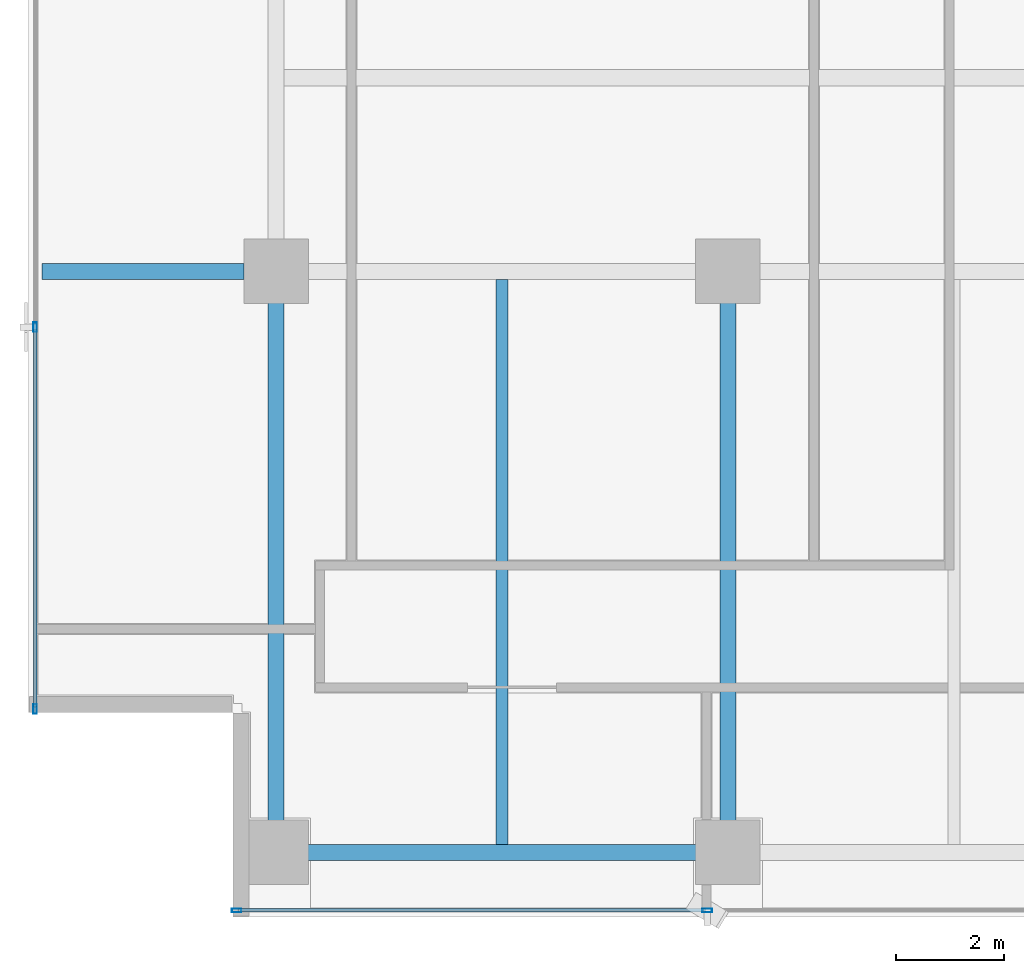
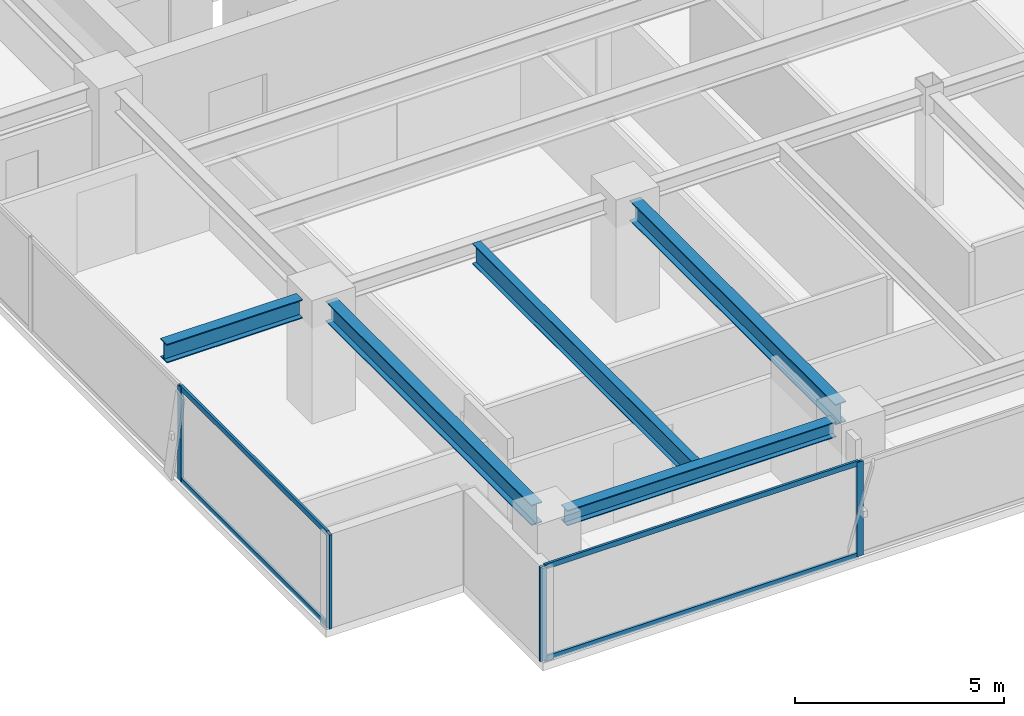
# One storey, part 2 of 22: 8 members, 5 beams, 2 elements without a shape of their own.
"""IFC4 building model written with IfcOpenShell, lengths in metres."""

from ifc_helpers import new_model, si_unit, direction, frame, origin, origin_2d, place, context, subcontext, project, spatial, hollow_rectangle, i_section, extrude, source, transform, mapped, material, layer, layer_set, material_profile, profile_set, type_object, element, aggregate, save


model = new_model("IFC4")

# Units and contexts
model_context = context("Model", 3, precision=1e-05, world=origin(), true_north=direction((0.0, 1.0)))
body_context = subcontext(model_context, "Body", "Model", "MODEL_VIEW")
ifc_project = project(units=[si_unit("LENGTHUNIT", "METRE"), si_unit("AREAUNIT", "SQUARE_METRE"), si_unit("VOLUMEUNIT", "CUBIC_METRE"), si_unit("PLANEANGLEUNIT", "RADIAN"), si_unit("MASSUNIT", "GRAM", prefix="KILO")], contexts=[model_context])

# Site, building, storey
site_placement = place(None, origin())
site = spatial("IfcSite", under=ifc_project, at=site_placement, CompositionType="ELEMENT")
building_placement = place(site_placement, origin())
building = spatial("IfcBuilding", under=site, at=building_placement, Name="Sumidabori Civic Tower", CompositionType="ELEMENT")
storey_placement = place(building_placement, frame((0.0, 0.0, 286.39990234375)))
storey = spatial("IfcBuildingStorey", under=building, at=storey_placement, Name="L75", CompositionType="ELEMENT", Elevation=286.39990234375)

# Beams
ifc_material_1 = material(Name="Steel SN490", Category="steel")
ifc_material_profile_1 = material_profile(ifc_material_1, i_section(OverallWidth=0.300048828125, OverallDepth=0.60009765625, WebThickness=0.015380859375, FlangeThickness=0.030029296875, at=origin_2d()), Name="HE 600 B")
ifc_profile_set_1 = profile_set([ifc_material_profile_1], Name="Steel SN490")
beam_type_1 = type_object("IfcBeamType", Name="BM-GIRD-600", PredefinedType="BEAM", material=ifc_profile_set_1)
shared_shape_1 = source(origin(), body_context, "Body", "SweptSolid", [
    extrude(i_section(OverallWidth=0.300048828125, OverallDepth=0.60009765625, WebThickness=0.015380859375, FlangeThickness=0.030029296875, at=origin_2d()), origin(), (0.0, 0.0, 1.0), 9.840087890625),
])
for number, where, z_axis, x_axis, name in (
    (1, (-16.800048828125, -10.320068359375, 3.070068359375), (0.0, 1.0, 0.0), (-1.0, 0.0, 0.0), "Primary Girder L75 GY-09"),
    (2, (-8.39990234375, -10.320068359375, 3.070068359375), (0.0, 1.0, 0.0), (-1.0, 0.0, 0.0), "Primary Girder L75 GY-12"),
):
    element("IfcBeam", number, at=place(storey_placement, frame(where, z_axis=z_axis, x_axis=x_axis)), inside=storey, type_object=beam_type_1, Name=name, PredefinedType="BEAM", context=body_context, shape_type="MappedRepresentation", body=[
        mapped(shared_shape_1, transform((0.0, 0.0, 0.0), x_axis=(1.0, 0.0, 0.0), y_axis=(0.0, 1.0, 0.0), z_axis=(0.0, 0.0, 1.0), scale=1.0)),
    ])
ifc_material_profile_2 = material_profile(ifc_material_1, i_section(OverallWidth=0.300048828125, OverallDepth=0.449951171875, WebThickness=0.013916015625, FlangeThickness=0.02587890625, at=origin_2d()), Name="HE 450 B")
ifc_profile_set_2 = profile_set([ifc_material_profile_2], Name="Steel SN490")
beam_type_2 = type_object("IfcBeamType", Name="BM-GIRD-450", PredefinedType="BEAM", material=ifc_profile_set_2)
shared_shape_2 = source(origin(), body_context, "Body", "SweptSolid", [
    extrude(i_section(OverallWidth=0.300048828125, OverallDepth=0.449951171875, WebThickness=0.013916015625, FlangeThickness=0.02587890625, at=origin_2d()), origin(), (0.0, 0.0, 1.0), 7.440185546875),
])
beam_1_placement = place(storey_placement, frame((-16.320068359375, -10.800048828125, 3.14501953125), z_axis=(1.0, 0.0, 0.0), x_axis=(0.0, 1.0, 0.0)))
element("IfcBeam", 3, at=beam_1_placement, inside=storey, type_object=beam_type_2, Name="Primary Girder L75 GX-01", PredefinedType="BEAM", context=body_context, shape_type="MappedRepresentation", body=[
    mapped(shared_shape_2, transform((0.0, 0.0, 0.0), x_axis=(1.0, 0.0, 0.0), y_axis=(0.0, 1.0, 0.0), z_axis=(0.0, 0.0, 1.0), scale=1.0)),
])
ifc_material_profile_3 = material_profile(ifc_material_1, i_section(OverallWidth=0.219970703125, OverallDepth=0.60009765625, WebThickness=0.011962890625, FlangeThickness=0.01904296875, at=origin_2d()), Name="IPE 600")
ifc_profile_set_3 = profile_set([ifc_material_profile_3], Name="Steel SN490")
beam_type_3 = type_object("IfcBeamType", Name="BM-JST-600", PredefinedType="JOIST", material=ifc_profile_set_3)
shared_shape_3 = source(origin(), body_context, "Body", "SweptSolid", [
    extrude(i_section(OverallWidth=0.219970703125, OverallDepth=0.60009765625, WebThickness=0.011962890625, FlangeThickness=0.01904296875, at=origin_2d()), origin(), (0.0, 0.0, 1.0), 10.5),
])
beam_2_placement = place(storey_placement, frame((-12.60009765625, -10.64990234375, 3.070068359375), z_axis=(0.0, 1.0, 0.0), x_axis=(-1.0, 0.0, 0.0)))
element("IfcBeam", 4, at=beam_2_placement, inside=storey, type_object=beam_type_3, Name="Upper Lens N-S Floor Joist L75 JSTV-24", PredefinedType="JOIST", context=body_context, shape_type="MappedRepresentation", body=[
    mapped(shared_shape_3, transform((0.0, 0.0, 0.0), x_axis=(1.0, 0.0, 0.0), y_axis=(0.0, 1.0, 0.0), z_axis=(0.0, 0.0, 1.0), scale=1.0)),
])
ifc_material_profile_4 = material_profile(ifc_material_1, i_section(OverallWidth=0.300048828125, OverallDepth=0.550048828125, WebThickness=0.014892578125, FlangeThickness=0.029052734375, at=origin_2d()), Name="HE 550 B")
ifc_profile_set_4 = profile_set([ifc_material_profile_4], Name="Steel SN490")
beam_type_4 = type_object("IfcBeamType", Name="BM-Z4-EDGE", PredefinedType="SPANDREL", material=ifc_profile_set_4)
shared_shape_4 = source(origin(), body_context, "Body", "SweptSolid", [
    extrude(i_section(OverallWidth=0.300048828125, OverallDepth=0.550048828125, WebThickness=0.014892578125, FlangeThickness=0.029052734375, at=origin_2d()), origin(), (0.0, 0.0, 1.0), 3.75),
])
beam_3_placement = place(storey_placement, frame((-21.14990234375, 0.0, 3.09521484375), z_axis=(1.0, 0.0, 0.0), x_axis=(0.0, 1.0, 0.0)))
element("IfcBeam", 5, at=beam_3_placement, inside=storey, type_object=beam_type_4, Name="Perimeter Overhang Beam L75 W-19", PredefinedType="SPANDREL", context=body_context, shape_type="MappedRepresentation", body=[
    mapped(shared_shape_4, transform((0.0, 0.0, 0.0), x_axis=(1.0, 0.0, 0.0), y_axis=(0.0, 1.0, 0.0), z_axis=(0.0, 0.0, 1.0), scale=1.0)),
])

# Curtain wall, members
ifc_material_2 = material(Name="Anodised Bronze Aluminium AW-6063-T6", Category="aluminium")
ifc_layer = layer(ifc_material_2, 0.179931640625, Name="Anodised Bronze Aluminium AW-6063-T6")
ifc_layer_set = layer_set([ifc_layer], Name="Anodised Bronze Aluminium AW-6063-T6")
curtain_wall_type = type_object("IfcCurtainWallType", Name="CW-SYS-6", PredefinedType="NOTDEFINED", material=ifc_layer_set)
curtain_wall_1_placement = place(storey_placement, origin())
curtain_wall_1 = element("IfcCurtainWall", 6, at=curtain_wall_1_placement, inside=storey, type_object=curtain_wall_type, Name="Curtain Wall CW:L75:R01", PredefinedType="NOTDEFINED")
ifc_material_profile_5 = material_profile(ifc_material_2, hollow_rectangle(XDim=0.070068359375, YDim=0.179931640625, WallThickness=0.006103515625, at=origin_2d()), Name="ALU MULLION 180x70")
ifc_profile_set_5 = profile_set([ifc_material_profile_5], Name="Anodised Bronze Aluminium AW-6063-T6")
member_type_1 = type_object("IfcMemberType", Name="CW-MUL-180", PredefinedType="MULLION", material=ifc_profile_set_5)
shared_shape_5 = source(origin(), body_context, "Body", "SweptSolid", [
    extrude(hollow_rectangle(XDim=0.070068359375, YDim=0.179931640625, WallThickness=0.006103515625, at=origin_2d()), origin(), (0.0, 0.0, 1.0), 2.75),
])
member_1_placement = place(storey_placement, frame((-17.534912109375, -11.8798828125, 0.0), z_axis=(0.0, 0.0, 1.0), x_axis=(0.0, 1.0, 0.0)))
member_1 = element("IfcMember", 7, at=member_1_placement, type_object=member_type_1, Name="CW-6 mullion 1", PredefinedType="MULLION", context=body_context, shape_type="MappedRepresentation", body=[
    mapped(shared_shape_5, transform((0.0, 0.0, 0.0), x_axis=(1.0, 0.0, 0.0), y_axis=(0.0, 1.0, 0.0), z_axis=(0.0, 0.0, 1.0), scale=1.0)),
])
member_2_placement = place(storey_placement, frame((-8.784912109375, -11.8798828125, 0.0), z_axis=(0.0, 0.0, 1.0), x_axis=(0.0, 1.0, 0.0)))
member_2 = element("IfcMember", 8, at=member_2_placement, type_object=member_type_1, Name="CW-6 mullion 2", PredefinedType="MULLION", context=body_context, shape_type="MappedRepresentation", body=[
    mapped(shared_shape_5, transform((0.0, 0.0, 0.0), x_axis=(1.0, 0.0, 0.0), y_axis=(0.0, 1.0, 0.0), z_axis=(0.0, 0.0, 1.0), scale=1.0)),
])

curtain_wall_2_placement = place(storey_placement, origin())
curtain_wall_2 = element("IfcCurtainWall", 9, at=curtain_wall_2_placement, inside=storey, type_object=curtain_wall_type, Name="Curtain Wall CW:L75:R10", PredefinedType="NOTDEFINED")
member_3_placement = place(storey_placement, frame((-21.280029296875, -1.034912109375, 0.0), z_axis=(0.0, 0.0, 1.0), x_axis=(1.0, 0.0, 0.0)))
member_3 = element("IfcMember", 10, at=member_3_placement, type_object=member_type_1, Name="CW-6 mullion 4", PredefinedType="MULLION", context=body_context, shape_type="MappedRepresentation", body=[
    mapped(shared_shape_5, transform((0.0, 0.0, 0.0), x_axis=(1.0, 0.0, 0.0), y_axis=(0.0, 1.0, 0.0), z_axis=(0.0, 0.0, 1.0), scale=1.0)),
])
member_4_placement = place(storey_placement, frame((-21.280029296875, -8.135009765625, 0.0), z_axis=(0.0, 0.0, 1.0), x_axis=(1.0, 0.0, 0.0)))
member_4 = element("IfcMember", 11, at=member_4_placement, type_object=member_type_1, Name="CW-6 mullion 5", PredefinedType="MULLION", context=body_context, shape_type="MappedRepresentation", body=[
    mapped(shared_shape_5, transform((0.0, 0.0, 0.0), x_axis=(1.0, 0.0, 0.0), y_axis=(0.0, 1.0, 0.0), z_axis=(0.0, 0.0, 1.0), scale=1.0)),
])

# Member
ifc_material_profile_6 = material_profile(ifc_material_2, hollow_rectangle(XDim=0.06494140625, YDim=0.14990234375, WallThickness=0.0048828125, at=origin_2d()), Name="ALU TRANSOM 150x65")
ifc_profile_set_6 = profile_set([ifc_material_profile_6], Name="Anodised Bronze Aluminium AW-6063-T6")
member_type_2 = type_object("IfcMemberType", Name="CW-TRN-150", PredefinedType="USERDEFINED", material=ifc_profile_set_6)
shared_shape_6 = source(origin(), body_context, "Body", "SweptSolid", [
    extrude(hollow_rectangle(XDim=0.06494140625, YDim=0.14990234375, WallThickness=0.0048828125, at=origin_2d()), origin(), (0.0, 0.0, 1.0), 8.679931640625),
])
member_5_placement = place(storey_placement, frame((-17.5, -11.8798828125, 0.03271484375), z_axis=(1.0, 0.0, 0.0), x_axis=(0.0, 1.0, 0.0)))
member_5 = element("IfcMember", 12, at=member_5_placement, type_object=member_type_2, Name="CW-6 transom 1.1", ObjectType="TRANSOM", PredefinedType="USERDEFINED", context=body_context, shape_type="MappedRepresentation", body=[
    mapped(shared_shape_6, transform((0.0, 0.0, 0.0), x_axis=(1.0, 0.0, 0.0), y_axis=(0.0, 1.0, 0.0), z_axis=(0.0, 0.0, 1.0), scale=1.0)),
])

member_6_placement = place(storey_placement, frame((-17.5, -11.8798828125, 2.717529296875), z_axis=(1.0, 0.0, 0.0), x_axis=(0.0, 1.0, 0.0)))
member_6 = element("IfcMember", 13, at=member_6_placement, type_object=member_type_2, Name="CW-6 transom 1.2", ObjectType="TRANSOM", PredefinedType="USERDEFINED", context=body_context, shape_type="MappedRepresentation", body=[
    mapped(shared_shape_6, transform((0.0, 0.0, 0.0), x_axis=(1.0, 0.0, 0.0), y_axis=(0.0, 1.0, 0.0), z_axis=(0.0, 0.0, 1.0), scale=1.0)),
])

aggregate(curtain_wall_1, [member_1, member_2, member_5, member_6])

shared_shape_7 = source(origin(), body_context, "Body", "SweptSolid", [
    extrude(hollow_rectangle(XDim=0.06494140625, YDim=0.14990234375, WallThickness=0.0048828125, at=origin_2d()), origin(), (0.0, 0.0, 1.0), 7.030029296875),
])
member_7_placement = place(storey_placement, frame((-21.280029296875, -1.070068359375, 0.03271484375), z_axis=(0.0, -1.0, 0.0), x_axis=(1.0, 0.0, 0.0)))
member_7 = element("IfcMember", 14, at=member_7_placement, type_object=member_type_2, Name="CW-6 transom 4.1", ObjectType="TRANSOM", PredefinedType="USERDEFINED", context=body_context, shape_type="MappedRepresentation", body=[
    mapped(shared_shape_7, transform((0.0, 0.0, 0.0), x_axis=(1.0, 0.0, 0.0), y_axis=(0.0, 1.0, 0.0), z_axis=(0.0, 0.0, 1.0), scale=1.0)),
])

member_8_placement = place(storey_placement, frame((-21.280029296875, -1.070068359375, 2.717529296875), z_axis=(0.0, -1.0, 0.0), x_axis=(1.0, 0.0, 0.0)))
member_8 = element("IfcMember", 15, at=member_8_placement, type_object=member_type_2, Name="CW-6 transom 4.2", ObjectType="TRANSOM", PredefinedType="USERDEFINED", context=body_context, shape_type="MappedRepresentation", body=[
    mapped(shared_shape_7, transform((0.0, 0.0, 0.0), x_axis=(1.0, 0.0, 0.0), y_axis=(0.0, 1.0, 0.0), z_axis=(0.0, 0.0, 1.0), scale=1.0)),
])

aggregate(curtain_wall_2, [member_3, member_4, member_7, member_8])

save(model, "model.ifc")
